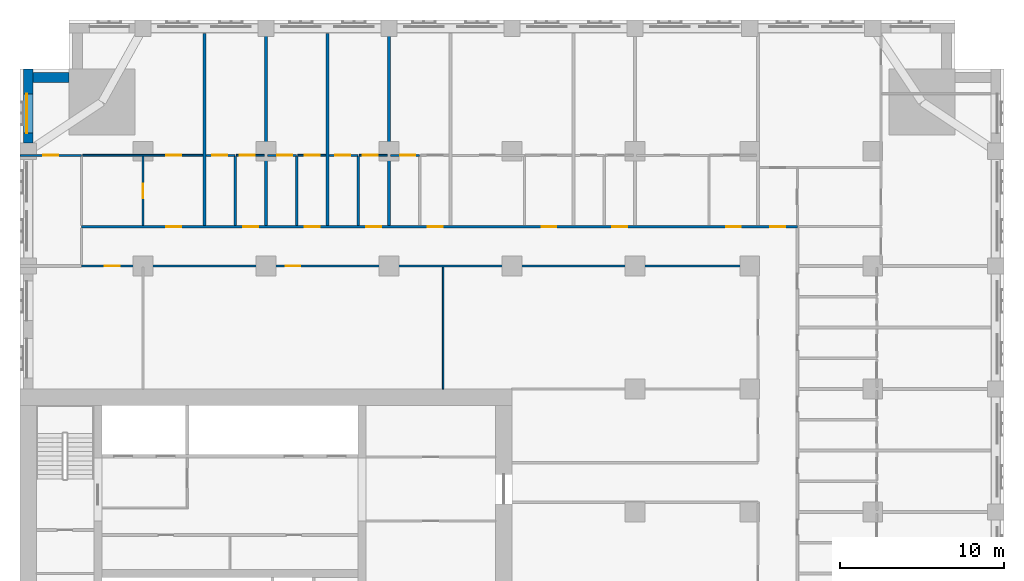
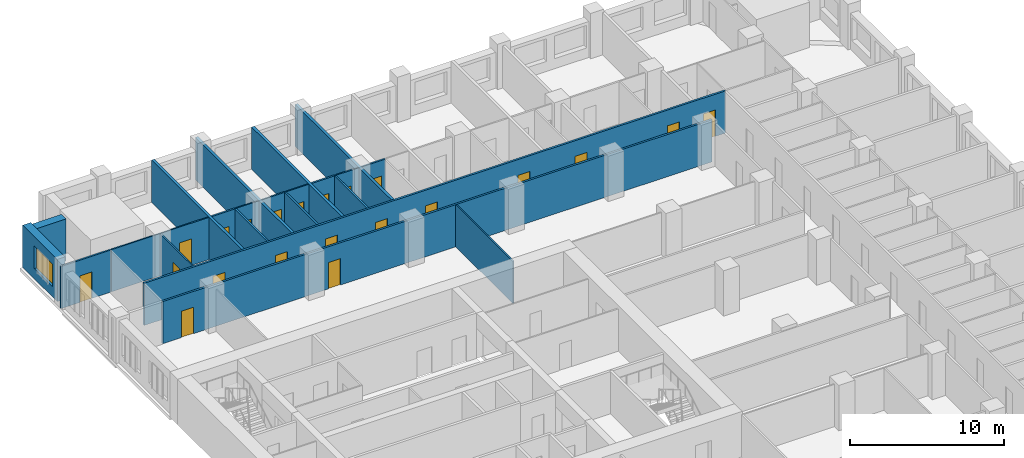
# One storey, part 9 of 15: 22 walls, 21 doors, 1 window, 22 openings.
"""IFC4 building model written with IfcOpenShell, lengths in metres."""

from ifc_helpers import new_model, si_unit, direction, frame, frame_2d, origin, place, context, subcontext, project, spatial, rectangle, extrude, material, layer, layer_set, type_object, element, fill, save


model = new_model("IFC4")

# Units and contexts
model_context = context("Model", 3, precision=1e-05, world=origin(), true_north=direction((0.0, 1.0)))
body_context = subcontext(model_context, "Body", "Model", "MODEL_VIEW")
ifc_project = project(units=[si_unit("LENGTHUNIT", "METRE"), si_unit("AREAUNIT", "SQUARE_METRE"), si_unit("VOLUMEUNIT", "CUBIC_METRE"), si_unit("PLANEANGLEUNIT", "RADIAN"), si_unit("MASSUNIT", "GRAM", prefix="KILO")], contexts=[model_context])

# Site, building, storey
site_placement = place(None, origin())
site = spatial("IfcSite", under=ifc_project, at=site_placement, CompositionType="ELEMENT")
building_placement = place(site_placement, origin())
building = spatial("IfcBuilding", under=site, at=building_placement, Name="Tamorin Gate", CompositionType="ELEMENT")
storey_placement = place(building_placement, frame((0.0, 0.0, 62.800048828125)))
storey = spatial("IfcBuildingStorey", under=building, at=storey_placement, Name="L14", CompositionType="ELEMENT", Elevation=62.800048828125)

# Wall
ifc_material_1 = material(Name="Precast concrete C40/50", Category="concrete")
ifc_layer_1 = layer(ifc_material_1, 0.60009765625)
ifc_layer_set_1 = layer_set([ifc_layer_1], Name="Precast concrete C40/50")
wall_type_1 = type_object("IfcWallType", Name="Board-marked concrete facade panel 600", PredefinedType="SOLIDWALL", material=ifc_layer_set_1)
wall_1_placement = place(storey_placement, frame((33.0, 101.5, 0.0), z_axis=(0.0, 0.0, 1.0), x_axis=(-1.0, 0.0, 0.0)))
element("IfcWall", 1, at=wall_1_placement, inside=storey, type_object=wall_type_1, Name="Facade panel", PredefinedType="SOLIDWALL", context=body_context, shape_type="SweptSolid", body=[
    extrude(rectangle(XDim=2.199951171875, YDim=0.60009765625, at=frame_2d((1.10009765625, 0.0))), origin(), (0.0, 0.0, 1.0), 3.349853515625),
])

# Wall, opening, window
wall_2_placement = place(storey_placement, frame((30.5, 102.0, 0.0), z_axis=(0.0, 0.0, 1.0), x_axis=(0.0, -1.0, 0.0)))
wall_2 = element("IfcWall", 2, at=wall_2_placement, inside=storey, type_object=wall_type_1, Name="Facade panel", PredefinedType="SOLIDWALL", context=body_context, shape_type="SweptSolid", body=[
    extrude(rectangle(XDim=4.5, YDim=0.60009765625, at=frame_2d((2.25, 0.0))), origin(), (0.0, 0.0, 1.0), 3.349853515625),
])
opening_1_placement = place(wall_2_placement, frame((1.5, 0.0, 0.800048828125)))
opening_1 = element("IfcOpeningElement", 3, at=opening_1_placement, cuts=wall_2, Name="Opening WN1", PredefinedType="OPENING", context=body_context, shape_type="SweptSolid", body=[
    extrude(rectangle(XDim=2.39990234375, YDim=1.800048828125, at=frame_2d((1.199951171875, 0.89990234375))), frame((0.0, 0.31005859375, 0.0), z_axis=(0.0, -1.0, 0.0), x_axis=(1.0, 0.0, 0.0)), (0.0, 0.0, 1.0), 0.6201171875),
])
ifc_material_2 = material(Name="Clear glass in aluminium frame", Category="aluminium")
window_type = type_object("IfcWindowType", Name="Deep-set window 2400x1800", PartitioningType="SINGLE_PANEL", PredefinedType="WINDOW", material=ifc_material_2)
window_placement = place(opening_1_placement, origin())
window = element("IfcWindow", 4, at=window_placement, inside=storey, type_object=window_type, Name="Deep-set window", OverallHeight=1.800048828125, OverallWidth=2.39990234375, PartitioningType="SINGLE_PANEL", PredefinedType="WINDOW", context=body_context, shape_type="SweptSolid", body=[
    extrude(rectangle(XDim=2.39990234375, YDim=1.800048828125, at=frame_2d((1.199951171875, 0.89990234375))), frame((0.0, -0.070068359375, 0.0), z_axis=(0.0, -1.0, 0.0), x_axis=(1.0, 0.0, 0.0)), (0.0, 0.0, 1.0), 0.06005859375),
])
fill(opening_1, window)

# Wall, openings, doors
ifc_material_3 = material(Name="Gypsum board partition")
ifc_layer_2 = layer(ifc_material_3, 0.14990234375)
ifc_layer_set_2 = layer_set([ifc_layer_2], Name="Corridor wall 150")
wall_type_2 = type_object("IfcWallType", Name="Corridor wall 150", PredefinedType="PARTITIONING", material=ifc_layer_set_2)
wall_3_placement = place(storey_placement, frame((33.75, 90.0, 0.0), z_axis=(0.0, 0.0, 1.0), x_axis=(1.0, 0.0, 0.0)))
wall_3 = element("IfcWall", 5, at=wall_3_placement, inside=storey, type_object=wall_type_2, Name="Corridor wall 150", PredefinedType="PARTITIONING", context=body_context, shape_type="SweptSolid", body=[
    extrude(rectangle(XDim=41.25, YDim=0.14990234375, at=frame_2d((20.625, 0.0))), origin(), (0.0, 0.0, 1.0), 3.349853515625),
])
opening_2_placement = place(wall_3_placement, frame((1.425048828125, 0.0, 0.0)))
opening_2 = element("IfcOpeningElement", 6, at=opening_2_placement, cuts=wall_3, Name="Opening DH1097", PredefinedType="OPENING", context=body_context, shape_type="SweptSolid", body=[
    extrude(rectangle(XDim=0.89990234375, YDim=2.10009765625, at=frame_2d((0.449951171875, 1.050048828125))), frame((0.0, 0.0849609375, 0.0), z_axis=(0.0, -1.0, 0.0), x_axis=(1.0, 0.0, 0.0)), (0.0, 0.0, 1.0), 0.169921875),
])
opening_3_placement = place(wall_3_placement, frame((12.449951171875, 0.0, 0.0)))
opening_3 = element("IfcOpeningElement", 7, at=opening_3_placement, cuts=wall_3, Name="Opening DH1098", PredefinedType="OPENING", context=body_context, shape_type="SweptSolid", body=[
    extrude(rectangle(XDim=0.89990234375, YDim=2.10009765625, at=frame_2d((0.449951171875, 1.050048828125))), frame((0.0, 0.0849609375, 0.0), z_axis=(0.0, -1.0, 0.0), x_axis=(1.0, 0.0, 0.0)), (0.0, 0.0, 1.0), 0.169921875),
])
ifc_material_4 = material(Name="Timber door leaf", Category="wood")
door_type_1 = type_object("IfcDoorType", Name="Door 900 x 2100 FD30S", OperationType="NOTDEFINED", PredefinedType="DOOR", material=ifc_material_4)
door_1_placement = place(opening_2_placement, origin())
door_1 = element("IfcDoor", 8, at=door_1_placement, inside=storey, type_object=door_type_1, Name="Door DH1097", OperationType="SINGLE_SWING_RIGHT", OverallHeight=2.10009765625, OverallWidth=0.89990234375, PredefinedType="DOOR", context=body_context, shape_type="SweptSolid", body=[
    extrude(rectangle(XDim=0.89990234375, YDim=2.10009765625, at=frame_2d((0.449951171875, 1.050048828125))), frame((0.0, 0.02490234375, 0.0), z_axis=(0.0, -1.0, 0.0), x_axis=(1.0, 0.0, 0.0)), (0.0, 0.0, 1.0), 0.050048828125),
])
fill(opening_2, door_1)
door_2_placement = place(opening_3_placement, origin())
door_2 = element("IfcDoor", 9, at=door_2_placement, inside=storey, type_object=door_type_1, Name="Door DH1098", OperationType="SINGLE_SWING_RIGHT", OverallHeight=2.10009765625, OverallWidth=0.89990234375, PredefinedType="DOOR", context=body_context, shape_type="SweptSolid", body=[
    extrude(rectangle(XDim=0.89990234375, YDim=2.10009765625, at=frame_2d((0.449951171875, 1.050048828125))), frame((0.0, 0.02490234375, 0.0), z_axis=(0.0, -1.0, 0.0), x_axis=(1.0, 0.0, 0.0)), (0.0, 0.0, 1.0), 0.050048828125),
])
fill(opening_3, door_2)

wall_4_placement = place(storey_placement, frame((33.75, 92.39990234375, 0.0), z_axis=(0.0, 0.0, 1.0), x_axis=(1.0, 0.0, 0.0)))
wall_4 = element("IfcWall", 10, at=wall_4_placement, inside=storey, type_object=wall_type_2, Name="Corridor wall 150", PredefinedType="PARTITIONING", context=body_context, shape_type="SweptSolid", body=[
    extrude(rectangle(XDim=43.64990234375, YDim=0.14990234375, at=frame_2d((21.824951171875, 0.0))), origin(), (0.0, 0.0, 1.0), 3.349853515625),
])
opening_4_placement = place(wall_4_placement, frame((5.175048828125, 0.0, 0.0)))
opening_4 = element("IfcOpeningElement", 11, at=opening_4_placement, cuts=wall_4, Name="Opening DH1028", PredefinedType="OPENING", context=body_context, shape_type="SweptSolid", body=[
    extrude(rectangle(XDim=0.89990234375, YDim=2.10009765625, at=frame_2d((0.449951171875, 1.050048828125))), frame((0.0, 0.0849609375, 0.0), z_axis=(0.0, -1.0, 0.0), x_axis=(1.0, 0.0, 0.0)), (0.0, 0.0, 1.0), 0.169921875),
])
opening_5_placement = place(wall_4_placement, frame((9.862548828125, 0.0, 0.0)))
opening_5 = element("IfcOpeningElement", 12, at=opening_5_placement, cuts=wall_4, Name="Opening DH1031", PredefinedType="OPENING", context=body_context, shape_type="SweptSolid", body=[
    extrude(rectangle(XDim=0.89990234375, YDim=2.10009765625, at=frame_2d((0.449951171875, 1.050048828125))), frame((0.0, 0.0849609375, 0.0), z_axis=(0.0, -1.0, 0.0), x_axis=(1.0, 0.0, 0.0)), (0.0, 0.0, 1.0), 0.169921875),
])
opening_6_placement = place(wall_4_placement, frame((13.612548828125, 0.0, 0.0)))
opening_6 = element("IfcOpeningElement", 13, at=opening_6_placement, cuts=wall_4, Name="Opening DH1034", PredefinedType="OPENING", context=body_context, shape_type="SweptSolid", body=[
    extrude(rectangle(XDim=0.89990234375, YDim=2.10009765625, at=frame_2d((0.449951171875, 1.050048828125))), frame((0.0, 0.0849609375, 0.0), z_axis=(0.0, -1.0, 0.0), x_axis=(1.0, 0.0, 0.0)), (0.0, 0.0, 1.0), 0.169921875),
])
opening_7_placement = place(wall_4_placement, frame((17.362548828125, 0.0, 0.0)))
opening_7 = element("IfcOpeningElement", 14, at=opening_7_placement, cuts=wall_4, Name="Opening DH1037", PredefinedType="OPENING", context=body_context, shape_type="SweptSolid", body=[
    extrude(rectangle(XDim=0.89990234375, YDim=2.10009765625, at=frame_2d((0.449951171875, 1.050048828125))), frame((0.0, 0.0849609375, 0.0), z_axis=(0.0, -1.0, 0.0), x_axis=(1.0, 0.0, 0.0)), (0.0, 0.0, 1.0), 0.169921875),
])
opening_8_placement = place(wall_4_placement, frame((21.112548828125, 0.0, 0.0)))
opening_8 = element("IfcOpeningElement", 15, at=opening_8_placement, cuts=wall_4, Name="Opening DH1040", PredefinedType="OPENING", context=body_context, shape_type="SweptSolid", body=[
    extrude(rectangle(XDim=0.89990234375, YDim=2.10009765625, at=frame_2d((0.449951171875, 1.050048828125))), frame((0.0, 0.0849609375, 0.0), z_axis=(0.0, -1.0, 0.0), x_axis=(1.0, 0.0, 0.0)), (0.0, 0.0, 1.0), 0.169921875),
])
opening_9_placement = place(wall_4_placement, frame((28.050048828125, 0.0, 0.0)))
opening_9 = element("IfcOpeningElement", 16, at=opening_9_placement, cuts=wall_4, Name="Opening DH1043", PredefinedType="OPENING", context=body_context, shape_type="SweptSolid", body=[
    extrude(rectangle(XDim=0.89990234375, YDim=2.10009765625, at=frame_2d((0.449951171875, 1.050048828125))), frame((0.0, 0.0849609375, 0.0), z_axis=(0.0, -1.0, 0.0), x_axis=(1.0, 0.0, 0.0)), (0.0, 0.0, 1.0), 0.169921875),
])
opening_10_placement = place(wall_4_placement, frame((32.362548828125, 0.0, 0.0)))
opening_10 = element("IfcOpeningElement", 17, at=opening_10_placement, cuts=wall_4, Name="Opening DH1046", PredefinedType="OPENING", context=body_context, shape_type="SweptSolid", body=[
    extrude(rectangle(XDim=0.89990234375, YDim=2.10009765625, at=frame_2d((0.449951171875, 1.050048828125))), frame((0.0, 0.0849609375, 0.0), z_axis=(0.0, -1.0, 0.0), x_axis=(1.0, 0.0, 0.0)), (0.0, 0.0, 1.0), 0.169921875),
])
opening_11_placement = place(wall_4_placement, frame((39.300048828125, 0.0, 0.0)))
opening_11 = element("IfcOpeningElement", 18, at=opening_11_placement, cuts=wall_4, Name="Opening DH1049", PredefinedType="OPENING", context=body_context, shape_type="SweptSolid", body=[
    extrude(rectangle(XDim=0.89990234375, YDim=2.10009765625, at=frame_2d((0.449951171875, 1.050048828125))), frame((0.0, 0.0849609375, 0.0), z_axis=(0.0, -1.0, 0.0), x_axis=(1.0, 0.0, 0.0)), (0.0, 0.0, 1.0), 0.169921875),
])
opening_12_placement = place(wall_4_placement, frame((42.0, 0.0, 0.0)))
opening_12 = element("IfcOpeningElement", 19, at=opening_12_placement, cuts=wall_4, Name="Opening DH1087", PredefinedType="OPENING", context=body_context, shape_type="SweptSolid", body=[
    extrude(rectangle(XDim=0.89990234375, YDim=2.10009765625, at=frame_2d((0.449951171875, 1.050048828125))), frame((0.0, 0.0849609375, 0.0), z_axis=(0.0, -1.0, 0.0), x_axis=(1.0, 0.0, 0.0)), (0.0, 0.0, 1.0), 0.169921875),
])
door_3_placement = place(opening_4_placement, origin())
door_3 = element("IfcDoor", 20, at=door_3_placement, inside=storey, type_object=door_type_1, Name="Door DH1028", OperationType="SINGLE_SWING_LEFT", OverallHeight=2.10009765625, OverallWidth=0.89990234375, PredefinedType="DOOR", context=body_context, shape_type="SweptSolid", body=[
    extrude(rectangle(XDim=0.89990234375, YDim=2.10009765625, at=frame_2d((0.449951171875, 1.050048828125))), frame((0.0, 0.02490234375, 0.0), z_axis=(0.0, -1.0, 0.0), x_axis=(1.0, 0.0, 0.0)), (0.0, 0.0, 1.0), 0.050048828125),
])
fill(opening_4, door_3)
door_4_placement = place(opening_5_placement, origin())
door_4 = element("IfcDoor", 21, at=door_4_placement, inside=storey, type_object=door_type_1, Name="Door DH1031", OperationType="SINGLE_SWING_LEFT", OverallHeight=2.10009765625, OverallWidth=0.89990234375, PredefinedType="DOOR", context=body_context, shape_type="SweptSolid", body=[
    extrude(rectangle(XDim=0.89990234375, YDim=2.10009765625, at=frame_2d((0.449951171875, 1.050048828125))), frame((0.0, 0.02490234375, 0.0), z_axis=(0.0, -1.0, 0.0), x_axis=(1.0, 0.0, 0.0)), (0.0, 0.0, 1.0), 0.050048828125),
])
fill(opening_5, door_4)
door_5_placement = place(opening_6_placement, origin())
door_5 = element("IfcDoor", 22, at=door_5_placement, inside=storey, type_object=door_type_1, Name="Door DH1034", OperationType="SINGLE_SWING_LEFT", OverallHeight=2.10009765625, OverallWidth=0.89990234375, PredefinedType="DOOR", context=body_context, shape_type="SweptSolid", body=[
    extrude(rectangle(XDim=0.89990234375, YDim=2.10009765625, at=frame_2d((0.449951171875, 1.050048828125))), frame((0.0, 0.02490234375, 0.0), z_axis=(0.0, -1.0, 0.0), x_axis=(1.0, 0.0, 0.0)), (0.0, 0.0, 1.0), 0.050048828125),
])
fill(opening_6, door_5)
door_6_placement = place(opening_7_placement, origin())
door_6 = element("IfcDoor", 23, at=door_6_placement, inside=storey, type_object=door_type_1, Name="Door DH1037", OperationType="SINGLE_SWING_LEFT", OverallHeight=2.10009765625, OverallWidth=0.89990234375, PredefinedType="DOOR", context=body_context, shape_type="SweptSolid", body=[
    extrude(rectangle(XDim=0.89990234375, YDim=2.10009765625, at=frame_2d((0.449951171875, 1.050048828125))), frame((0.0, 0.02490234375, 0.0), z_axis=(0.0, -1.0, 0.0), x_axis=(1.0, 0.0, 0.0)), (0.0, 0.0, 1.0), 0.050048828125),
])
fill(opening_7, door_6)
door_7_placement = place(opening_8_placement, origin())
door_7 = element("IfcDoor", 24, at=door_7_placement, inside=storey, type_object=door_type_1, Name="Door DH1040", OperationType="SINGLE_SWING_LEFT", OverallHeight=2.10009765625, OverallWidth=0.89990234375, PredefinedType="DOOR", context=body_context, shape_type="SweptSolid", body=[
    extrude(rectangle(XDim=0.89990234375, YDim=2.10009765625, at=frame_2d((0.449951171875, 1.050048828125))), frame((0.0, 0.02490234375, 0.0), z_axis=(0.0, -1.0, 0.0), x_axis=(1.0, 0.0, 0.0)), (0.0, 0.0, 1.0), 0.050048828125),
])
fill(opening_8, door_7)
door_8_placement = place(opening_9_placement, origin())
door_8 = element("IfcDoor", 25, at=door_8_placement, inside=storey, type_object=door_type_1, Name="Door DH1043", OperationType="SINGLE_SWING_LEFT", OverallHeight=2.10009765625, OverallWidth=0.89990234375, PredefinedType="DOOR", context=body_context, shape_type="SweptSolid", body=[
    extrude(rectangle(XDim=0.89990234375, YDim=2.10009765625, at=frame_2d((0.449951171875, 1.050048828125))), frame((0.0, 0.02490234375, 0.0), z_axis=(0.0, -1.0, 0.0), x_axis=(1.0, 0.0, 0.0)), (0.0, 0.0, 1.0), 0.050048828125),
])
fill(opening_9, door_8)
door_9_placement = place(opening_10_placement, origin())
door_9 = element("IfcDoor", 26, at=door_9_placement, inside=storey, type_object=door_type_1, Name="Door DH1046", OperationType="SINGLE_SWING_LEFT", OverallHeight=2.10009765625, OverallWidth=0.89990234375, PredefinedType="DOOR", context=body_context, shape_type="SweptSolid", body=[
    extrude(rectangle(XDim=0.89990234375, YDim=2.10009765625, at=frame_2d((0.449951171875, 1.050048828125))), frame((0.0, 0.02490234375, 0.0), z_axis=(0.0, -1.0, 0.0), x_axis=(1.0, 0.0, 0.0)), (0.0, 0.0, 1.0), 0.050048828125),
])
fill(opening_10, door_9)
door_10_placement = place(opening_11_placement, origin())
door_10 = element("IfcDoor", 27, at=door_10_placement, inside=storey, type_object=door_type_1, Name="Door DH1049", OperationType="SINGLE_SWING_LEFT", OverallHeight=2.10009765625, OverallWidth=0.89990234375, PredefinedType="DOOR", context=body_context, shape_type="SweptSolid", body=[
    extrude(rectangle(XDim=0.89990234375, YDim=2.10009765625, at=frame_2d((0.449951171875, 1.050048828125))), frame((0.0, 0.02490234375, 0.0), z_axis=(0.0, -1.0, 0.0), x_axis=(1.0, 0.0, 0.0)), (0.0, 0.0, 1.0), 0.050048828125),
])
fill(opening_11, door_10)
door_11_placement = place(opening_12_placement, origin())
door_11 = element("IfcDoor", 28, at=door_11_placement, inside=storey, type_object=door_type_1, Name="Door DH1087", OperationType="SINGLE_SWING_RIGHT", OverallHeight=2.10009765625, OverallWidth=0.89990234375, PredefinedType="DOOR", context=body_context, shape_type="SweptSolid", body=[
    extrude(rectangle(XDim=0.89990234375, YDim=2.10009765625, at=frame_2d((0.449951171875, 1.050048828125))), frame((0.0, 0.02490234375, 0.0), z_axis=(0.0, -1.0, 0.0), x_axis=(1.0, 0.0, 0.0)), (0.0, 0.0, 1.0), 0.050048828125),
])
fill(opening_12, door_11)

# Walls
ifc_layer_3 = layer(ifc_material_3, 0.199951171875)
ifc_layer_set_3 = layer_set([ifc_layer_3], Name="Demising wall 200")
wall_type_3 = type_object("IfcWallType", Name="Demising wall 200", PredefinedType="PARTITIONING", material=ifc_layer_set_3)
wall_5_placement = place(storey_placement, frame((41.25, 92.47509765625, 0.0), z_axis=(0.0, 0.0, 1.0), x_axis=(0.0, 1.0, 0.0)))
element("IfcWall", 29, at=wall_5_placement, inside=storey, type_object=wall_type_3, Name="Demising wall 200", PredefinedType="PARTITIONING", context=body_context, shape_type="SweptSolid", body=[
    extrude(rectangle(XDim=11.71484375, YDim=0.199951171875, at=frame_2d((5.857421875, 0.0))), origin(), (0.0, 0.0, 1.0), 3.349853515625),
])
wall_6_placement = place(storey_placement, frame((45.0, 92.47509765625, 0.0), z_axis=(0.0, 0.0, 1.0), x_axis=(0.0, 1.0, 0.0)))
element("IfcWall", 30, at=wall_6_placement, inside=storey, type_object=wall_type_3, Name="Demising wall 200", PredefinedType="PARTITIONING", context=body_context, shape_type="SweptSolid", body=[
    extrude(rectangle(XDim=12.52490234375, YDim=0.199951171875, at=frame_2d((6.262451171875, 0.0))), origin(), (0.0, 0.0, 1.0), 3.349853515625),
])
wall_7_placement = place(storey_placement, frame((48.75, 92.47509765625, 0.0), z_axis=(0.0, 0.0, 1.0), x_axis=(0.0, 1.0, 0.0)))
element("IfcWall", 31, at=wall_7_placement, inside=storey, type_object=wall_type_3, Name="Demising wall 200", PredefinedType="PARTITIONING", context=body_context, shape_type="SweptSolid", body=[
    extrude(rectangle(XDim=11.71484375, YDim=0.199951171875, at=frame_2d((5.857421875, 0.0))), origin(), (0.0, 0.0, 1.0), 3.349853515625),
])
wall_8_placement = place(storey_placement, frame((52.5, 92.47509765625, 0.0), z_axis=(0.0, 0.0, 1.0), x_axis=(0.0, 1.0, 0.0)))
element("IfcWall", 32, at=wall_8_placement, inside=storey, type_object=wall_type_3, Name="Demising wall 200", PredefinedType="PARTITIONING", context=body_context, shape_type="SweptSolid", body=[
    extrude(rectangle(XDim=12.52490234375, YDim=0.199951171875, at=frame_2d((6.262451171875, 0.0))), origin(), (0.0, 0.0, 1.0), 3.349853515625),
])

# Wall, opening, door
ifc_layer_4 = layer(ifc_material_3, 0.10009765625)
ifc_layer_set_4 = layer_set([ifc_layer_4], Name="Room partition 100")
wall_type_4 = type_object("IfcWallType", Name="Room partition 100", PredefinedType="PARTITIONING", material=ifc_layer_set_4)
wall_9_placement = place(storey_placement, frame((33.8125, 96.75, 0.0), z_axis=(0.0, 0.0, 1.0), x_axis=(1.0, 0.0, 0.0)))
wall_9 = element("IfcWall", 33, at=wall_9_placement, inside=storey, type_object=wall_type_4, Name="Room partition 100", PredefinedType="PARTITIONING", context=body_context, shape_type="SweptSolid", body=[
    extrude(rectangle(XDim=7.33740234375, YDim=0.10009765625, at=frame_2d((3.668701171875, 0.0))), origin(), (0.0, 0.0, 1.0), 3.349853515625),
])
opening_13_placement = place(wall_9_placement, frame((5.112548828125, 0.0, 0.0)))
opening_13 = element("IfcOpeningElement", 34, at=opening_13_placement, cuts=wall_9, Name="Opening DH1029", PredefinedType="OPENING", context=body_context, shape_type="SweptSolid", body=[
    extrude(rectangle(XDim=0.89990234375, YDim=2.10009765625, at=frame_2d((0.449951171875, 1.050048828125))), frame((0.0, 0.06005859375, 0.0), z_axis=(0.0, -1.0, 0.0), x_axis=(1.0, 0.0, 0.0)), (0.0, 0.0, 1.0), 0.1201171875),
])
door_type_2 = type_object("IfcDoorType", Name="Door 900 x 2100", OperationType="NOTDEFINED", PredefinedType="DOOR", material=ifc_material_4)
door_12_placement = place(opening_13_placement, origin())
door_12 = element("IfcDoor", 35, at=door_12_placement, inside=storey, type_object=door_type_2, Name="Door DH1029", OperationType="SINGLE_SWING_RIGHT", OverallHeight=2.10009765625, OverallWidth=0.89990234375, PredefinedType="DOOR", context=body_context, shape_type="SweptSolid", body=[
    extrude(rectangle(XDim=0.89990234375, YDim=2.10009765625, at=frame_2d((0.449951171875, 1.050048828125))), frame((0.0, 0.02490234375, 0.0), z_axis=(0.0, -1.0, 0.0), x_axis=(1.0, 0.0, 0.0)), (0.0, 0.0, 1.0), 0.050048828125),
])
fill(opening_13, door_12)

wall_10_placement = place(storey_placement, frame((43.1875, 96.75, 0.0), z_axis=(0.0, 0.0, 1.0), x_axis=(1.0, 0.0, 0.0)))
wall_10 = element("IfcWall", 36, at=wall_10_placement, inside=storey, type_object=wall_type_4, Name="Room partition 100", PredefinedType="PARTITIONING", context=body_context, shape_type="SweptSolid", body=[
    extrude(rectangle(XDim=1.71240234375, YDim=0.10009765625, at=frame_2d((0.856201171875, 0.0))), origin(), (0.0, 0.0, 1.0), 3.349853515625),
])
opening_14_placement = place(wall_10_placement, frame((0.22509765625, 0.0, 0.0)))
opening_14 = element("IfcOpeningElement", 37, at=opening_14_placement, cuts=wall_10, Name="Opening DH1032", PredefinedType="OPENING", context=body_context, shape_type="SweptSolid", body=[
    extrude(rectangle(XDim=0.89990234375, YDim=2.10009765625, at=frame_2d((0.449951171875, 1.050048828125))), frame((0.0, 0.06005859375, 0.0), z_axis=(0.0, -1.0, 0.0), x_axis=(1.0, 0.0, 0.0)), (0.0, 0.0, 1.0), 0.1201171875),
])
door_13_placement = place(opening_14_placement, origin())
door_13 = element("IfcDoor", 38, at=door_13_placement, inside=storey, type_object=door_type_2, Name="Door DH1032", OperationType="SINGLE_SWING_RIGHT", OverallHeight=2.10009765625, OverallWidth=0.89990234375, PredefinedType="DOOR", context=body_context, shape_type="SweptSolid", body=[
    extrude(rectangle(XDim=0.89990234375, YDim=2.10009765625, at=frame_2d((0.449951171875, 1.050048828125))), frame((0.0, 0.02490234375, 0.0), z_axis=(0.0, -1.0, 0.0), x_axis=(1.0, 0.0, 0.0)), (0.0, 0.0, 1.0), 0.050048828125),
])
fill(opening_14, door_13)

wall_11_placement = place(storey_placement, frame((46.9375, 96.75, 0.0), z_axis=(0.0, 0.0, 1.0), x_axis=(1.0, 0.0, 0.0)))
wall_11 = element("IfcWall", 39, at=wall_11_placement, inside=storey, type_object=wall_type_4, Name="Room partition 100", PredefinedType="PARTITIONING", context=body_context, shape_type="SweptSolid", body=[
    extrude(rectangle(XDim=1.71240234375, YDim=0.10009765625, at=frame_2d((0.856201171875, 0.0))), origin(), (0.0, 0.0, 1.0), 3.349853515625),
])
opening_15_placement = place(wall_11_placement, frame((0.425048828125, 0.0, 0.0)))
opening_15 = element("IfcOpeningElement", 40, at=opening_15_placement, cuts=wall_11, Name="Opening DH1035", PredefinedType="OPENING", context=body_context, shape_type="SweptSolid", body=[
    extrude(rectangle(XDim=0.89990234375, YDim=2.10009765625, at=frame_2d((0.449951171875, 1.050048828125))), frame((0.0, 0.06005859375, 0.0), z_axis=(0.0, -1.0, 0.0), x_axis=(1.0, 0.0, 0.0)), (0.0, 0.0, 1.0), 0.1201171875),
])
door_14_placement = place(opening_15_placement, origin())
door_14 = element("IfcDoor", 41, at=door_14_placement, inside=storey, type_object=door_type_2, Name="Door DH1035", OperationType="SINGLE_SWING_RIGHT", OverallHeight=2.10009765625, OverallWidth=0.89990234375, PredefinedType="DOOR", context=body_context, shape_type="SweptSolid", body=[
    extrude(rectangle(XDim=0.89990234375, YDim=2.10009765625, at=frame_2d((0.449951171875, 1.050048828125))), frame((0.0, 0.02490234375, 0.0), z_axis=(0.0, -1.0, 0.0), x_axis=(1.0, 0.0, 0.0)), (0.0, 0.0, 1.0), 0.050048828125),
])
fill(opening_15, door_14)

wall_12_placement = place(storey_placement, frame((50.6875, 96.75, 0.0), z_axis=(0.0, 0.0, 1.0), x_axis=(1.0, 0.0, 0.0)))
wall_12 = element("IfcWall", 42, at=wall_12_placement, inside=storey, type_object=wall_type_4, Name="Room partition 100", PredefinedType="PARTITIONING", context=body_context, shape_type="SweptSolid", body=[
    extrude(rectangle(XDim=1.71240234375, YDim=0.10009765625, at=frame_2d((0.856201171875, 0.0))), origin(), (0.0, 0.0, 1.0), 3.349853515625),
])
opening_16_placement = place(wall_12_placement, frame((0.22509765625, 0.0, 0.0)))
opening_16 = element("IfcOpeningElement", 43, at=opening_16_placement, cuts=wall_12, Name="Opening DH1038", PredefinedType="OPENING", context=body_context, shape_type="SweptSolid", body=[
    extrude(rectangle(XDim=0.89990234375, YDim=2.10009765625, at=frame_2d((0.449951171875, 1.050048828125))), frame((0.0, 0.06005859375, 0.0), z_axis=(0.0, -1.0, 0.0), x_axis=(1.0, 0.0, 0.0)), (0.0, 0.0, 1.0), 0.1201171875),
])
door_15_placement = place(opening_16_placement, origin())
door_15 = element("IfcDoor", 44, at=door_15_placement, inside=storey, type_object=door_type_2, Name="Door DH1038", OperationType="SINGLE_SWING_RIGHT", OverallHeight=2.10009765625, OverallWidth=0.89990234375, PredefinedType="DOOR", context=body_context, shape_type="SweptSolid", body=[
    extrude(rectangle(XDim=0.89990234375, YDim=2.10009765625, at=frame_2d((0.449951171875, 1.050048828125))), frame((0.0, 0.02490234375, 0.0), z_axis=(0.0, -1.0, 0.0), x_axis=(1.0, 0.0, 0.0)), (0.0, 0.0, 1.0), 0.050048828125),
])
fill(opening_16, door_15)

wall_13_placement = place(storey_placement, frame((37.5, 92.47509765625, 0.0), z_axis=(0.0, 0.0, 1.0), x_axis=(0.0, 1.0, 0.0)))
wall_13 = element("IfcWall", 45, at=wall_13_placement, inside=storey, type_object=wall_type_4, Name="Room partition 100", PredefinedType="PARTITIONING", context=body_context, shape_type="SweptSolid", body=[
    extrude(rectangle(XDim=4.224853515625, YDim=0.10009765625, at=frame_2d((2.1123046875, 0.0))), origin(), (0.0, 0.0, 1.0), 3.349853515625),
])
opening_17_placement = place(wall_13_placement, frame((1.64990234375, 0.0, 0.0)))
opening_17 = element("IfcOpeningElement", 46, at=opening_17_placement, cuts=wall_13, Name="Opening DH1027", PredefinedType="OPENING", context=body_context, shape_type="SweptSolid", body=[
    extrude(rectangle(XDim=0.89990234375, YDim=2.10009765625, at=frame_2d((0.449951171875, 1.050048828125))), frame((0.0, 0.06005859375, 0.0), z_axis=(0.0, -1.0, 0.0), x_axis=(1.0, 0.0, 0.0)), (0.0, 0.0, 1.0), 0.1201171875),
])
door_16_placement = place(opening_17_placement, origin())
door_16 = element("IfcDoor", 47, at=door_16_placement, inside=storey, type_object=door_type_2, Name="Door DH1027", OperationType="SINGLE_SWING_RIGHT", OverallHeight=2.10009765625, OverallWidth=0.89990234375, PredefinedType="DOOR", context=body_context, shape_type="SweptSolid", body=[
    extrude(rectangle(XDim=0.89990234375, YDim=2.10009765625, at=frame_2d((0.449951171875, 1.050048828125))), frame((0.0, 0.02490234375, 0.0), z_axis=(0.0, -1.0, 0.0), x_axis=(1.0, 0.0, 0.0)), (0.0, 0.0, 1.0), 0.050048828125),
])
fill(opening_17, door_16)

# Wall
wall_14_placement = place(storey_placement, frame((55.800048828125, 82.5, 0.0), z_axis=(0.0, 0.0, 1.0), x_axis=(0.0, 1.0, 0.0)))
element("IfcWall", 48, at=wall_14_placement, inside=storey, type_object=wall_type_4, Name="Room partition 100", PredefinedType="PARTITIONING", context=body_context, shape_type="SweptSolid", body=[
    extrude(rectangle(XDim=7.425048828125, YDim=0.10009765625, at=frame_2d((3.71240234375, 0.0))), origin(), (0.0, 0.0, 1.0), 3.349853515625),
])

# Wall, opening, door
ifc_layer_5 = layer(ifc_material_3, 0.125)
ifc_layer_set_5 = layer_set([ifc_layer_5], Name="Wet wall 125")
wall_type_5 = type_object("IfcWallType", Name="Wet wall 125", PredefinedType="PARTITIONING", material=ifc_layer_set_5)
wall_15_placement = place(storey_placement, frame((30.0, 96.75, 0.0), z_axis=(0.0, 0.0, 1.0), x_axis=(1.0, 0.0, 0.0)))
wall_15 = element("IfcWall", 49, at=wall_15_placement, inside=storey, type_object=wall_type_5, Name="Wet wall 125", PredefinedType="PARTITIONING", context=body_context, shape_type="SweptSolid", body=[
    extrude(rectangle(XDim=3.75, YDim=0.125, at=frame_2d((1.875, 0.0))), origin(), (0.0, 0.0, 1.0), 3.349853515625),
])
opening_18_placement = place(wall_15_placement, frame((1.425048828125, 0.0, 0.0)))
opening_18 = element("IfcOpeningElement", 50, at=opening_18_placement, cuts=wall_15, Name="Opening DH1026", PredefinedType="OPENING", context=body_context, shape_type="SweptSolid", body=[
    extrude(rectangle(XDim=0.89990234375, YDim=2.10009765625, at=frame_2d((0.449951171875, 1.050048828125))), frame((0.0, 0.072509765625, 0.0), z_axis=(0.0, -1.0, 0.0), x_axis=(1.0, 0.0, 0.0)), (0.0, 0.0, 1.0), 0.14501953125),
])
door_17_placement = place(opening_18_placement, origin())
door_17 = element("IfcDoor", 51, at=door_17_placement, inside=storey, type_object=door_type_2, Name="Door DH1026", OperationType="SINGLE_SWING_RIGHT", OverallHeight=2.10009765625, OverallWidth=0.89990234375, PredefinedType="DOOR", context=body_context, shape_type="SweptSolid", body=[
    extrude(rectangle(XDim=0.89990234375, YDim=2.10009765625, at=frame_2d((0.449951171875, 1.050048828125))), frame((0.0, 0.02490234375, 0.0), z_axis=(0.0, -1.0, 0.0), x_axis=(1.0, 0.0, 0.0)), (0.0, 0.0, 1.0), 0.050048828125),
])
fill(opening_18, door_17)

wall_16_placement = place(storey_placement, frame((41.35009765625, 96.75, 0.0), z_axis=(0.0, 0.0, 1.0), x_axis=(1.0, 0.0, 0.0)))
wall_16 = element("IfcWall", 52, at=wall_16_placement, inside=storey, type_object=wall_type_5, Name="Wet wall 125", PredefinedType="PARTITIONING", context=body_context, shape_type="SweptSolid", body=[
    extrude(rectangle(XDim=1.77490234375, YDim=0.125, at=frame_2d((0.887451171875, 0.0))), origin(), (0.0, 0.0, 1.0), 3.349853515625),
])
opening_19_placement = place(wall_16_placement, frame((0.387451171875, 0.0, 0.0)))
opening_19 = element("IfcOpeningElement", 53, at=opening_19_placement, cuts=wall_16, Name="Opening DH1030", PredefinedType="OPENING", context=body_context, shape_type="SweptSolid", body=[
    extrude(rectangle(XDim=0.89990234375, YDim=2.10009765625, at=frame_2d((0.449951171875, 1.050048828125))), frame((0.0, 0.072509765625, 0.0), z_axis=(0.0, -1.0, 0.0), x_axis=(1.0, 0.0, 0.0)), (0.0, 0.0, 1.0), 0.14501953125),
])
door_18_placement = place(opening_19_placement, origin())
door_18 = element("IfcDoor", 54, at=door_18_placement, inside=storey, type_object=door_type_2, Name="Door DH1030", OperationType="SINGLE_SWING_RIGHT", OverallHeight=2.10009765625, OverallWidth=0.89990234375, PredefinedType="DOOR", context=body_context, shape_type="SweptSolid", body=[
    extrude(rectangle(XDim=0.89990234375, YDim=2.10009765625, at=frame_2d((0.449951171875, 1.050048828125))), frame((0.0, 0.02490234375, 0.0), z_axis=(0.0, -1.0, 0.0), x_axis=(1.0, 0.0, 0.0)), (0.0, 0.0, 1.0), 0.050048828125),
])
fill(opening_19, door_18)

wall_17_placement = place(storey_placement, frame((45.10009765625, 96.75, 0.0), z_axis=(0.0, 0.0, 1.0), x_axis=(1.0, 0.0, 0.0)))
wall_17 = element("IfcWall", 55, at=wall_17_placement, inside=storey, type_object=wall_type_5, Name="Wet wall 125", PredefinedType="PARTITIONING", context=body_context, shape_type="SweptSolid", body=[
    extrude(rectangle(XDim=1.77490234375, YDim=0.125, at=frame_2d((0.887451171875, 0.0))), origin(), (0.0, 0.0, 1.0), 3.349853515625),
])
opening_20_placement = place(wall_17_placement, frame((0.58740234375, 0.0, 0.0)))
opening_20 = element("IfcOpeningElement", 56, at=opening_20_placement, cuts=wall_17, Name="Opening DH1033", PredefinedType="OPENING", context=body_context, shape_type="SweptSolid", body=[
    extrude(rectangle(XDim=0.89990234375, YDim=2.10009765625, at=frame_2d((0.449951171875, 1.050048828125))), frame((0.0, 0.072509765625, 0.0), z_axis=(0.0, -1.0, 0.0), x_axis=(1.0, 0.0, 0.0)), (0.0, 0.0, 1.0), 0.14501953125),
])
door_19_placement = place(opening_20_placement, origin())
door_19 = element("IfcDoor", 57, at=door_19_placement, inside=storey, type_object=door_type_2, Name="Door DH1033", OperationType="SINGLE_SWING_LEFT", OverallHeight=2.10009765625, OverallWidth=0.89990234375, PredefinedType="DOOR", context=body_context, shape_type="SweptSolid", body=[
    extrude(rectangle(XDim=0.89990234375, YDim=2.10009765625, at=frame_2d((0.449951171875, 1.050048828125))), frame((0.0, 0.02490234375, 0.0), z_axis=(0.0, -1.0, 0.0), x_axis=(1.0, 0.0, 0.0)), (0.0, 0.0, 1.0), 0.050048828125),
])
fill(opening_20, door_19)

wall_18_placement = place(storey_placement, frame((48.85009765625, 96.75, 0.0), z_axis=(0.0, 0.0, 1.0), x_axis=(1.0, 0.0, 0.0)))
wall_18 = element("IfcWall", 58, at=wall_18_placement, inside=storey, type_object=wall_type_5, Name="Wet wall 125", PredefinedType="PARTITIONING", context=body_context, shape_type="SweptSolid", body=[
    extrude(rectangle(XDim=1.77490234375, YDim=0.125, at=frame_2d((0.887451171875, 0.0))), origin(), (0.0, 0.0, 1.0), 3.349853515625),
])
opening_21_placement = place(wall_18_placement, frame((0.387451171875, 0.0, 0.0)))
opening_21 = element("IfcOpeningElement", 59, at=opening_21_placement, cuts=wall_18, Name="Opening DH1036", PredefinedType="OPENING", context=body_context, shape_type="SweptSolid", body=[
    extrude(rectangle(XDim=0.89990234375, YDim=2.10009765625, at=frame_2d((0.449951171875, 1.050048828125))), frame((0.0, 0.072509765625, 0.0), z_axis=(0.0, -1.0, 0.0), x_axis=(1.0, 0.0, 0.0)), (0.0, 0.0, 1.0), 0.14501953125),
])
door_20_placement = place(opening_21_placement, origin())
door_20 = element("IfcDoor", 60, at=door_20_placement, inside=storey, type_object=door_type_2, Name="Door DH1036", OperationType="SINGLE_SWING_RIGHT", OverallHeight=2.10009765625, OverallWidth=0.89990234375, PredefinedType="DOOR", context=body_context, shape_type="SweptSolid", body=[
    extrude(rectangle(XDim=0.89990234375, YDim=2.10009765625, at=frame_2d((0.449951171875, 1.050048828125))), frame((0.0, 0.02490234375, 0.0), z_axis=(0.0, -1.0, 0.0), x_axis=(1.0, 0.0, 0.0)), (0.0, 0.0, 1.0), 0.050048828125),
])
fill(opening_21, door_20)

wall_19_placement = place(storey_placement, frame((52.60009765625, 96.75, 0.0), z_axis=(0.0, 0.0, 1.0), x_axis=(1.0, 0.0, 0.0)))
wall_19 = element("IfcWall", 61, at=wall_19_placement, inside=storey, type_object=wall_type_5, Name="Wet wall 125", PredefinedType="PARTITIONING", context=body_context, shape_type="SweptSolid", body=[
    extrude(rectangle(XDim=1.77490234375, YDim=0.125, at=frame_2d((0.887451171875, 0.0))), origin(), (0.0, 0.0, 1.0), 3.349853515625),
])
opening_22_placement = place(wall_19_placement, frame((0.58740234375, 0.0, 0.0)))
opening_22 = element("IfcOpeningElement", 62, at=opening_22_placement, cuts=wall_19, Name="Opening DH1039", PredefinedType="OPENING", context=body_context, shape_type="SweptSolid", body=[
    extrude(rectangle(XDim=0.89990234375, YDim=2.10009765625, at=frame_2d((0.449951171875, 1.050048828125))), frame((0.0, 0.072509765625, 0.0), z_axis=(0.0, -1.0, 0.0), x_axis=(1.0, 0.0, 0.0)), (0.0, 0.0, 1.0), 0.14501953125),
])
door_21_placement = place(opening_22_placement, origin())
door_21 = element("IfcDoor", 63, at=door_21_placement, inside=storey, type_object=door_type_2, Name="Door DH1039", OperationType="SINGLE_SWING_LEFT", OverallHeight=2.10009765625, OverallWidth=0.89990234375, PredefinedType="DOOR", context=body_context, shape_type="SweptSolid", body=[
    extrude(rectangle(XDim=0.89990234375, YDim=2.10009765625, at=frame_2d((0.449951171875, 1.050048828125))), frame((0.0, 0.02490234375, 0.0), z_axis=(0.0, -1.0, 0.0), x_axis=(1.0, 0.0, 0.0)), (0.0, 0.0, 1.0), 0.050048828125),
])
fill(opening_22, door_21)

# Walls
for number, where, z_axis, x_axis, name in (
    (64, (43.125, 92.47509765625, 0.0), (0.0, 0.0, 1.0), (0.0, 1.0, 0.0), "Wet wall 125"),
    (65, (46.875, 92.47509765625, 0.0), (0.0, 0.0, 1.0), (0.0, 1.0, 0.0), "Wet wall 125"),
    (66, (50.625, 92.47509765625, 0.0), (0.0, 0.0, 1.0), (0.0, 1.0, 0.0), "Wet wall 125"),
):
    element("IfcWall", number, at=place(storey_placement, frame(where, z_axis=z_axis, x_axis=x_axis)), inside=storey, type_object=wall_type_5, Name=name, PredefinedType="PARTITIONING", context=body_context, shape_type="SweptSolid", body=[
        extrude(rectangle(XDim=4.21240234375, YDim=0.125, at=frame_2d((2.106201171875, 0.0))), origin(), (0.0, 0.0, 1.0), 3.349853515625),
    ])

save(model, "model.ifc")
